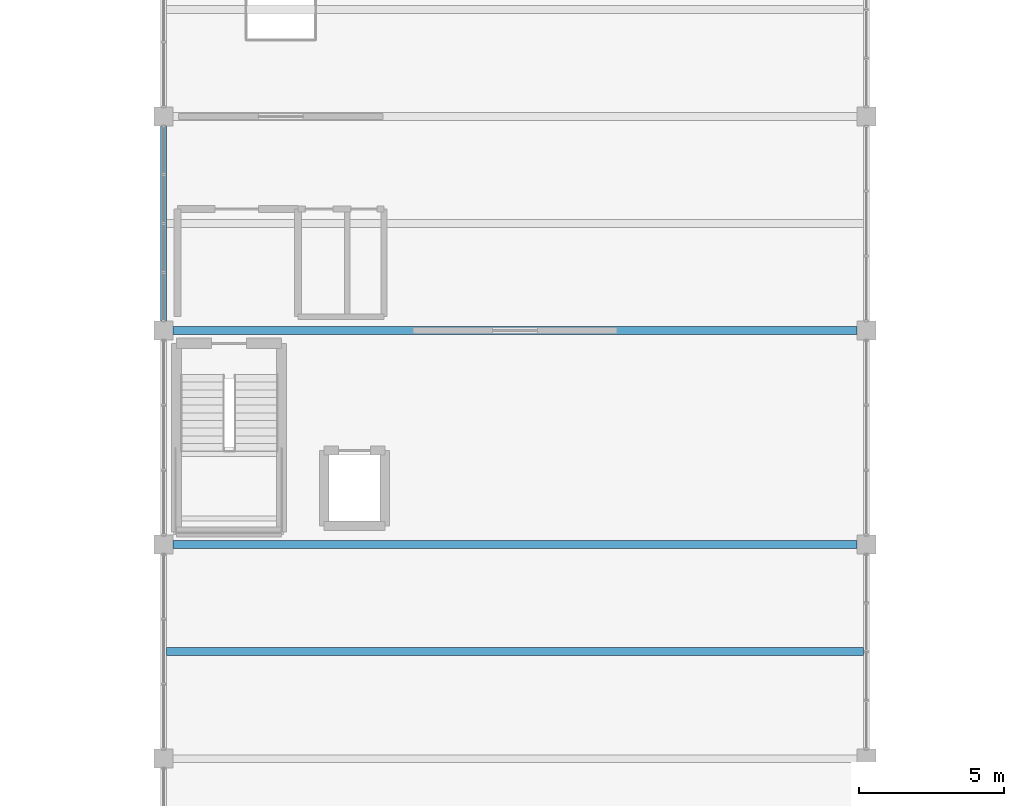
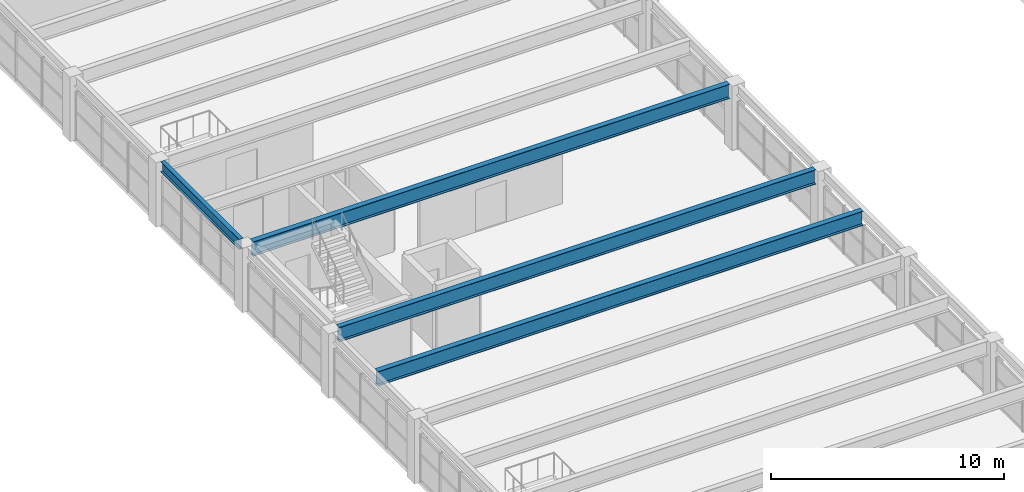
# One storey, part 46 of 93: 4 beams.
"""IFC4 building model written with IfcOpenShell, lengths in metres."""

import ifcopenshell
import ifcopenshell.guid

model = None  # the IFC model being written
_history = None  # IfcOwnerHistory: only IFC2X3 demands one
_inside = {}  # id of a spatial element -> (the spatial element, [elements in it])
_under = {}  # id of a project, library or spatial element -> (it, [spatial elements below it])
_declared = {}  # id of a project -> (the project, [libraries it declares])
_typed = {}  # id of a type object -> (the type object, [elements of that type])
_made_of = {}  # id of a material, layer set ... -> (it, [elements and type objects made of it])


def new_model(schema):
    """Start an empty IFC model of exactly this schema.

    Asked for "IFC4X3", IfcOpenShell would pick the latest addendum, in which some entities
    have other attributes; the version numbers below select the first issue.
    IFC2X3 requires an IfcOwnerHistory on every rooted entity: one is made here for all.
    """
    global model, _history
    if schema == "IFC4X3":
        model = ifcopenshell.file(schema_version=(4, 3, 0, 0))
    else:
        model = ifcopenshell.file(schema=schema)
    _inside.clear()
    _under.clear()
    _declared.clear()
    _typed.clear()
    _made_of.clear()
    _history = None
    if model.schema == "IFC2X3":
        org = make("IfcOrganization", Name="unknown")
        user = make(
            "IfcPersonAndOrganization",
            ThePerson=make("IfcPerson", FamilyName="unknown"),
            TheOrganization=org,
        )
        app = make(
            "IfcApplication",
            ApplicationDeveloper=org,
            Version="unknown",
            ApplicationFullName="unknown",
            ApplicationIdentifier="unknown",
        )
        _history = make(
            "IfcOwnerHistory",
            OwningUser=user,
            OwningApplication=app,
            ChangeAction="ADDED",
            CreationDate=0,
        )
    return model


def make(cls, **values):
    """One entity of the class cls with the attributes given. An attribute that is None is left unset."""
    return model.create_entity(
        cls, **{name: value for name, value in values.items() if value is not None}
    )


def rooted(cls, **values):
    """An entity with a GlobalId (a new one), such as an element, a storey or a relation."""
    return make(cls, GlobalId=ifcopenshell.guid.new(), OwnerHistory=_history, **values)


def si_unit(unit_type, name, prefix=None):
    """IfcSIUnit, for example si_unit("LENGTHUNIT", "METRE", prefix="MILLI")."""
    return make("IfcSIUnit", UnitType=unit_type, Prefix=prefix, Name=name)


def assignment(units):
    """IfcUnitAssignment: the units of a project."""
    return None if units is None else make("IfcUnitAssignment", Units=units)


def point(xyz):
    """IfcCartesianPoint."""
    return None if xyz is None else make("IfcCartesianPoint", Coordinates=xyz)


def direction(xyz):
    """IfcDirection."""
    return None if xyz is None else make("IfcDirection", DirectionRatios=xyz)


def frame(location, z_axis=None, x_axis=None):
    """IfcAxis2Placement3D, a coordinate frame: its origin and axes. An axis left out is left unset."""
    return make(
        "IfcAxis2Placement3D",
        Location=point(location),
        Axis=direction(z_axis),
        RefDirection=direction(x_axis),
    )


def frame_2d(location, x_axis=None):
    """IfcAxis2Placement2D, a coordinate frame in the plane: its origin and x axis."""
    return make(
        "IfcAxis2Placement2D", Location=point(location), RefDirection=direction(x_axis)
    )


def origin():
    """The frame at (0, 0, 0) with its axes left unset."""
    return frame((0.0, 0.0, 0.0))


def origin_2d():
    """The frame at (0, 0) in the plane with its x axis left unset."""
    return frame_2d((0.0, 0.0))


def place(relative_to, where):
    """IfcLocalPlacement: puts the frame where relative to a parent placement (None: the world)."""
    return make(
        "IfcLocalPlacement", PlacementRelTo=relative_to, RelativePlacement=where
    )


def context(
    kind, dimensions, precision=None, world=None, true_north=None, identifier=None
):
    """IfcGeometricRepresentationContext, for example the 3D "Model" context."""
    return make(
        "IfcGeometricRepresentationContext",
        ContextIdentifier=identifier,
        ContextType=kind,
        CoordinateSpaceDimension=dimensions,
        Precision=precision,
        WorldCoordinateSystem=world,
        TrueNorth=true_north,
    )


def subcontext(parent, identifier, kind, view, scale=None):
    """IfcGeometricRepresentationSubContext, for example "Body" below "Model"."""
    return make(
        "IfcGeometricRepresentationSubContext",
        ContextIdentifier=identifier,
        ContextType=kind,
        ParentContext=parent,
        TargetScale=scale,
        TargetView=view,
    )


def project(units=None, contexts=None):
    """IfcProject with its units and contexts."""
    return rooted(
        "IfcProject",
        Name="project",
        RepresentationContexts=contexts,
        UnitsInContext=assignment(units),
    )


def spatial(cls, under=None, at=None, **own):
    """A site, building, storey or space (cls), placed at a placement, below another one or the project."""
    s = rooted(cls, ObjectPlacement=at, **own)
    if under is not None:
        _under.setdefault(under.id(), (under, []))[1].append(s)
    return s


def profile(cls, at=None, kind="AREA", **sizes):
    """A parametric profile (cls). Its sizes go by their IFC names, for example OverallWidth=200.0."""
    return make(cls, ProfileType=kind, Position=at, **sizes)


def i_section(**sizes):
    """IfcIShapeProfileDef."""
    return profile("IfcIShapeProfileDef", **sizes)


def extrude(swept, where, along, depth):
    """IfcExtrudedAreaSolid: the profile swept, set in the frame where, extruded along a direction by depth."""
    return make(
        "IfcExtrudedAreaSolid",
        SweptArea=swept,
        Position=where,
        ExtrudedDirection=direction(along),
        Depth=depth,
    )


def shape(context_of_items, identifier, shape_type, items):
    """IfcShapeRepresentation: the items that make up one representation, for example the "Body"."""
    return make(
        "IfcShapeRepresentation",
        ContextOfItems=context_of_items,
        RepresentationIdentifier=identifier,
        RepresentationType=shape_type,
        Items=items,
    )


def material(Name=None, Category=None):
    """IfcMaterial."""
    return make("IfcMaterial", Name=Name, Category=Category)


def material_profile(
    of_material, cross_section, Name=None, Category=None, Priority=None
):
    """IfcMaterialProfile: a cross section and its material."""
    return make(
        "IfcMaterialProfile",
        Name=Name,
        Material=of_material,
        Profile=cross_section,
        Priority=Priority,
        Category=Category,
    )


def profile_set(profiles, Name=None, composite=None):
    """IfcMaterialProfileSet."""
    return make(
        "IfcMaterialProfileSet",
        Name=Name,
        MaterialProfiles=profiles,
        CompositeProfile=composite,
    )


def made_of(thing, what):
    """Note that an element or type object is made of a material, layer set ...; save() writes the relation."""
    if what is not None:
        _made_of.setdefault(what.id(), (what, []))[1].append(thing)
    return thing


def type_object(cls, material=None, **own):
    """A type object (cls), such as IfcWallType, which elements share."""
    return made_of(rooted(cls, **own), material)


def element(
    cls,
    number,
    at=None,
    inside=None,
    cuts=None,
    type_object=None,
    material=None,
    context=None,
    identifier="Body",
    shape_type=None,
    held_by="IfcProductDefinitionShape",
    body=None,
    shapes=None,
    **own,
):
    """One element of the class cls, such as IfcWall. Its Tag is "e" and its number.

    at: its placement. inside: the storey or other place that contains it. cuts: it is an
    opening in that element (IfcRelVoidsElement). A single representation is given by context,
    identifier, shape_type and body (its items); several are given by shapes. held_by: the class
    of the entity that holds the representations. save() writes the other relations.
    """
    e = rooted(cls, Tag="e%d" % number, ObjectPlacement=at, **own)
    if body is not None:
        shapes = [shape(context, identifier, shape_type, body)]
    if shapes is not None:
        e.Representation = make(held_by, Representations=shapes)
    if inside is not None:
        _inside.setdefault(inside.id(), (inside, []))[1].append(e)
    if cuts is not None:
        rooted(
            "IfcRelVoidsElement", RelatingBuildingElement=cuts, RelatedOpeningElement=e
        )
    if type_object is not None:
        _typed.setdefault(type_object.id(), (type_object, []))[1].append(e)
    return made_of(e, material)


def aggregate(whole, parts):
    """IfcRelAggregates: a whole, such as a stair, and the parts it consists of."""
    return rooted("IfcRelAggregates", RelatingObject=whole, RelatedObjects=parts)


def save(model, path):
    """Write the relations noted so far, then the file.

    IfcRelAggregates (storeys below a building ...), IfcRelContainedInSpatialStructure (elements
    in a storey), IfcRelDefinesByType, IfcRelAssociatesMaterial and IfcRelDeclares: one each for
    every whole, place, type object, material and project.
    """
    for whole, parts in _under.values():
        aggregate(whole, parts)
    for where, things in _inside.values():
        rooted(
            "IfcRelContainedInSpatialStructure",
            RelatedElements=things,
            RelatingStructure=where,
        )
    for kind, things in _typed.values():
        rooted("IfcRelDefinesByType", RelatedObjects=things, RelatingType=kind)
    for what, things in _made_of.values():
        rooted("IfcRelAssociatesMaterial", RelatedObjects=things, RelatingMaterial=what)
    for by, libraries in _declared.values():
        rooted("IfcRelDeclares", RelatingContext=by, RelatedDefinitions=libraries)
    model.write(path)


model = new_model("IFC4")

# Units and contexts
model_context = context("Model", 3, precision=1e-05, world=origin(), true_north=direction((0.0, 1.0)))
body_context = subcontext(model_context, "Body", "Model", "MODEL_VIEW")
ifc_project = project(units=[si_unit("LENGTHUNIT", "METRE"), si_unit("AREAUNIT", "SQUARE_METRE"), si_unit("VOLUMEUNIT", "CUBIC_METRE"), si_unit("PLANEANGLEUNIT", "RADIAN"), si_unit("MASSUNIT", "GRAM", prefix="KILO")], contexts=[model_context])

# Site, building, storey
site_placement = place(None, origin())
site = spatial("IfcSite", under=ifc_project, at=site_placement, CompositionType="ELEMENT")
building_placement = place(site_placement, origin())
building = spatial("IfcBuilding", under=site, at=building_placement, Name="Cimatlan Art Gallery", CompositionType="ELEMENT")
storey_placement = place(building_placement, frame((0.0, 0.0, 13.800048828125)))
storey = spatial("IfcBuildingStorey", under=building, at=storey_placement, Name="L03", CompositionType="ELEMENT", Elevation=13.800048828125)

# Beams
ifc_material = material(Name="Steel ASTM A992 Grade 50", Category="steel")
ifc_material_profile_1 = material_profile(ifc_material, i_section(OverallWidth=0.26708984375, OverallDepth=0.761962890625, WebThickness=0.014404296875, FlangeThickness=0.021484375, at=origin_2d()), Name="W30X116")
ifc_profile_set_1 = profile_set([ifc_material_profile_1], Name="Steel ASTM A992 Grade 50")
beam_type_1 = type_object("IfcBeamType", Name="BM-SPAN24-L04", PredefinedType="BEAM", material=ifc_profile_set_1)
beam_1_placement = place(storey_placement, frame((75.0048828125, 57.199951171875, 2.9990234375), z_axis=(1.0, 0.0, 0.0), x_axis=(0.0, 1.0, 0.0)))
element("IfcBeam", 1, at=beam_1_placement, inside=storey, type_object=beam_type_1, Name="BM-SP24M-L03-07", PredefinedType="BEAM", context=body_context, shape_type="SweptSolid", body=[
    extrude(i_section(OverallWidth=0.26708984375, OverallDepth=0.761962890625, WebThickness=0.014404296875, FlangeThickness=0.021484375, at=origin_2d()), origin(), (0.0, 0.0, 1.0), 24.090087890625),
])
for number, where, z_axis, x_axis, name in (
    (2, (75.22509765625, 60.89990234375, 2.9990234375), (1.0, 0.0, 0.0), (0.0, 1.0, 0.0), "BM-SP24-L03-08"),
    (3, (75.22509765625, 68.300048828125, 2.9990234375), (1.0, 0.0, 0.0), (0.0, 1.0, 0.0), "BM-SP24-L03-09"),
):
    element("IfcBeam", number, at=place(storey_placement, frame(where, z_axis=z_axis, x_axis=x_axis)), inside=storey, type_object=beam_type_1, Name=name, PredefinedType="BEAM", context=body_context, shape_type="SweptSolid", body=[
        extrude(i_section(OverallWidth=0.26708984375, OverallDepth=0.761962890625, WebThickness=0.014404296875, FlangeThickness=0.021484375, at=origin_2d()), origin(), (0.0, 0.0, 1.0), 23.64990234375),
    ])
ifc_material_profile_2 = material_profile(ifc_material, i_section(OverallWidth=0.2099609375, OverallDepth=0.532958984375, WebThickness=0.01025390625, FlangeThickness=0.015625, at=origin_2d()), Name="W21X62")
ifc_profile_set_2 = profile_set([ifc_material_profile_2], Name="Steel ASTM A992 Grade 50")
beam_type_2 = type_object("IfcBeamType", Name="BM-STL-W21X62", PredefinedType="BEAM", material=ifc_profile_set_2)
beam_2_placement = place(storey_placement, frame((74.89990234375, 68.625, 3.113525390625), z_axis=(0.0, 1.0, 0.0), x_axis=(-1.0, 0.0, 0.0)))
element("IfcBeam", 4, at=beam_2_placement, inside=storey, type_object=beam_type_2, Name="BM-Y-L03-09-09", PredefinedType="BEAM", context=body_context, shape_type="SweptSolid", body=[
    extrude(i_section(OverallWidth=0.2099609375, OverallDepth=0.532958984375, WebThickness=0.01025390625, FlangeThickness=0.015625, at=origin_2d()), origin(), (0.0, 0.0, 1.0), 6.75),
])

save(model, "model.ifc")
